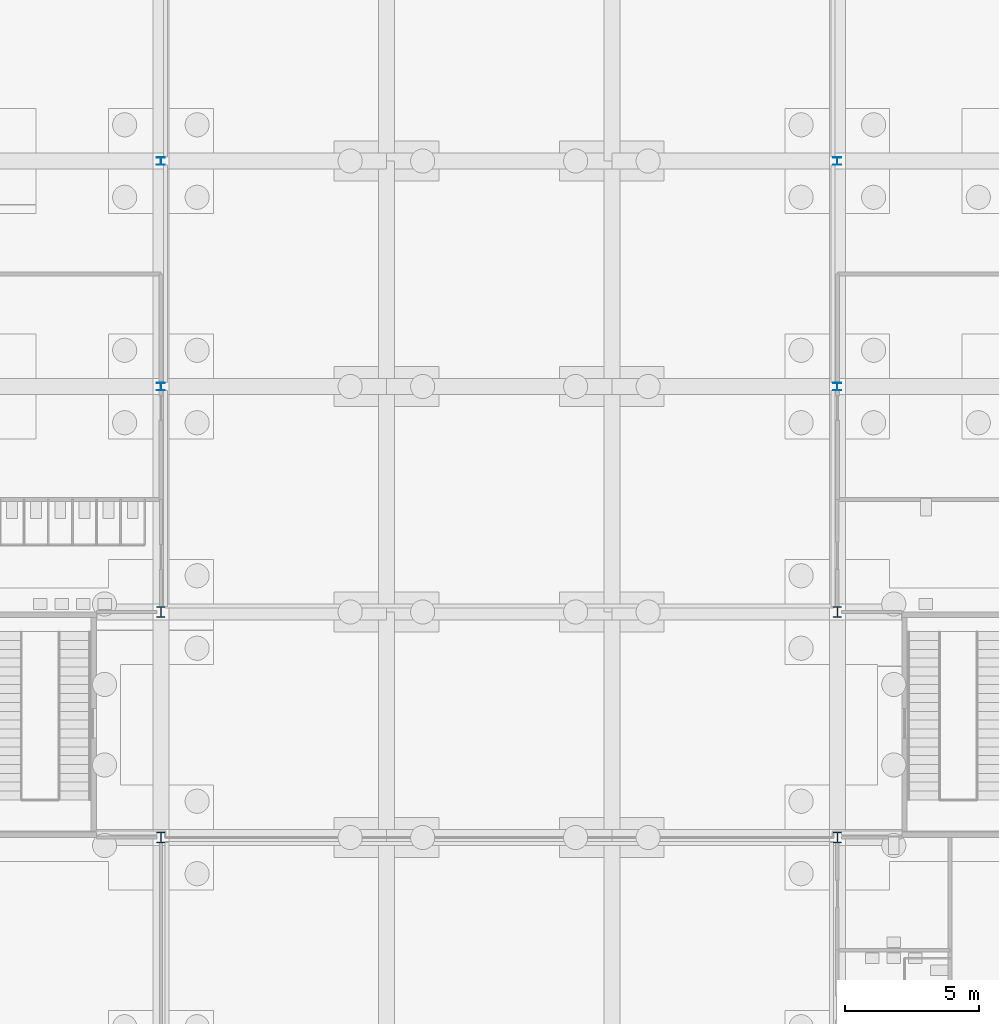
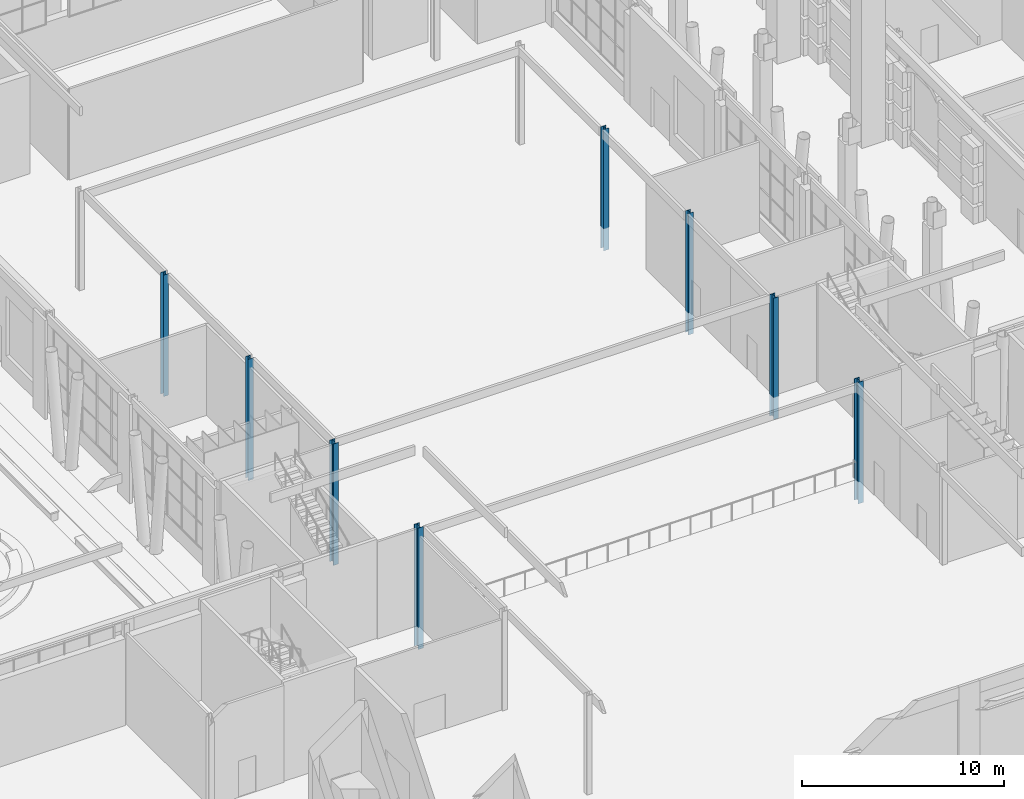
# One storey, part 19 of 222: 8 columns.
"""IFC4 building model written with IfcOpenShell, lengths in metres."""

from ifc_helpers import new_model, si_unit, direction, frame, origin, origin_2d, place, context, subcontext, project, spatial, i_section, extrude, material, material_profile, profile_set, type_object, element, save


model = new_model("IFC4")

# Units and contexts
model_context = context("Model", 3, precision=1e-05, world=origin(), true_north=direction((0.0, 1.0)))
body_context = subcontext(model_context, "Body", "Model", "MODEL_VIEW")
ifc_project = project(units=[si_unit("LENGTHUNIT", "METRE"), si_unit("AREAUNIT", "SQUARE_METRE"), si_unit("VOLUMEUNIT", "CUBIC_METRE"), si_unit("PLANEANGLEUNIT", "RADIAN"), si_unit("MASSUNIT", "GRAM", prefix="KILO")], contexts=[model_context])

# Site, building, storey
site_placement = place(None, origin())
site = spatial("IfcSite", under=ifc_project, at=site_placement, CompositionType="ELEMENT")
building_placement = place(site_placement, origin())
building = spatial("IfcBuilding", under=site, at=building_placement, Name="Sava Quay Ferry Terminal", CompositionType="ELEMENT")
storey_placement = place(building_placement, origin())
storey = spatial("IfcBuildingStorey", under=building, at=storey_placement, Name="L00", CompositionType="ELEMENT", Elevation=0.0)

# Columns
ifc_material_1 = material(Name="Steel S355", Category="steel")
ifc_material_profile_1 = material_profile(ifc_material_1, i_section(OverallWidth=0.300048828125, OverallDepth=0.2900390625, WebThickness=0.008544921875, FlangeThickness=0.013916015625, at=origin_2d()), Name="HE 300 A")
ifc_profile_set_1 = profile_set([ifc_material_profile_1], Name="Steel S355")
column_type_1 = type_object("IfcColumnType", Name="Column HE 300 A", PredefinedType="COLUMN", material=ifc_profile_set_1)
for number, where, z_axis, x_axis, name in (
    (1, (50.39990234375, 67.199951171875, -1.35009765625), (0.0, 0.0, 1.0), (1.0, 0.0, 0.0), "Column L00 50.4/67.2"),
    (2, (50.39990234375, 75.60009765625, -1.35009765625), (0.0, 0.0, 1.0), (1.0, 0.0, 0.0), "Column L00 50.4/75.6"),
    (3, (75.60009765625, 67.199951171875, -1.35009765625), (0.0, 0.0, 1.0), (1.0, 0.0, 0.0), "Column L00 75.6/67.2"),
    (4, (75.60009765625, 75.60009765625, -1.35009765625), (0.0, 0.0, 1.0), (1.0, 0.0, 0.0), "Column L00 75.6/75.6"),
):
    element("IfcColumn", number, at=place(storey_placement, frame(where, z_axis=z_axis, x_axis=x_axis)), inside=storey, type_object=column_type_1, Name=name, PredefinedType="COLUMN", context=body_context, shape_type="SweptSolid", body=[
        extrude(i_section(OverallWidth=0.300048828125, OverallDepth=0.2900390625, WebThickness=0.008544921875, FlangeThickness=0.013916015625, at=origin_2d()), origin(), (0.0, 0.0, 1.0), 7.35009765625),
    ])
ifc_material_2 = material(Name="Steel S355", Category="steel")
ifc_material_profile_2 = material_profile(ifc_material_2, i_section(OverallWidth=0.300048828125, OverallDepth=0.39990234375, WebThickness=0.013427734375, FlangeThickness=0.02392578125, at=origin_2d()), Name="HE 400 B")
ifc_profile_set_2 = profile_set([ifc_material_profile_2], Name="Steel S355")
column_type_2 = type_object("IfcColumnType", Name="Column HE 400 B", PredefinedType="COLUMN", material=ifc_profile_set_2)
for number, where, z_axis, x_axis, name in (
    (5, (50.39990234375, 50.39990234375, -1.35009765625), (0.0, 0.0, 1.0), (1.0, 0.0, 0.0), "Column L00 50.4/50.4"),
    (6, (50.39990234375, 58.800048828125, -1.35009765625), (0.0, 0.0, 1.0), (1.0, 0.0, 0.0), "Column L00 50.4/58.8"),
    (7, (75.60009765625, 50.39990234375, -1.35009765625), (0.0, 0.0, 1.0), (1.0, 0.0, 0.0), "Column L00 75.6/50.4"),
    (8, (75.60009765625, 58.800048828125, -1.35009765625), (0.0, 0.0, 1.0), (1.0, 0.0, 0.0), "Column L00 75.6/58.8"),
):
    element("IfcColumn", number, at=place(storey_placement, frame(where, z_axis=z_axis, x_axis=x_axis)), inside=storey, type_object=column_type_2, Name=name, PredefinedType="COLUMN", context=body_context, shape_type="SweptSolid", body=[
        extrude(i_section(OverallWidth=0.300048828125, OverallDepth=0.39990234375, WebThickness=0.013427734375, FlangeThickness=0.02392578125, at=origin_2d()), origin(), (0.0, 0.0, 1.0), 7.35009765625),
    ])

save(model, "model.ifc")
